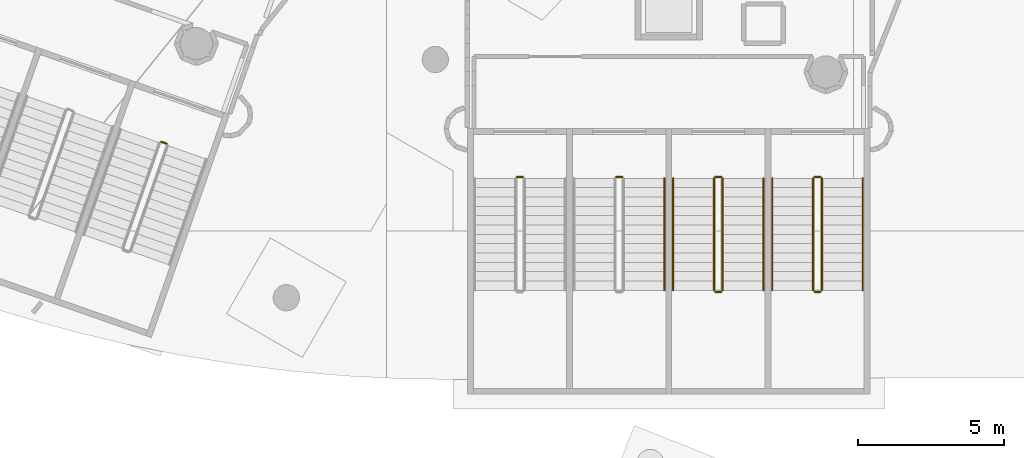
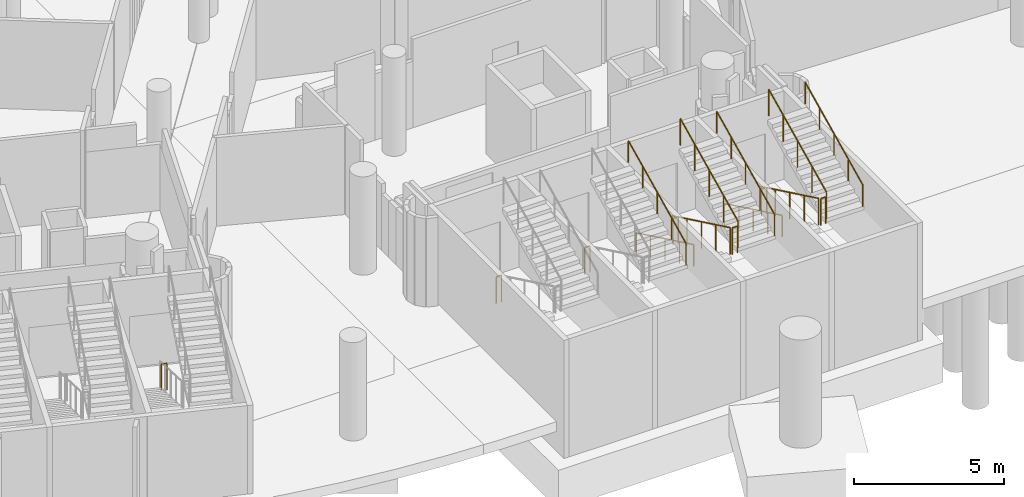
# One storey, part 112 of 142: 16 railings.
"""IFC4 building model written with IfcOpenShell, lengths in metres."""

from ifc_helpers import new_model, si_unit, direction, frame, origin, origin_2d, place, context, subcontext, project, spatial, circle, extrude, material, type_object, element, save


model = new_model("IFC4")

# Units and contexts
model_context = context("Model", 3, precision=1e-05, world=origin(), true_north=direction((0.0, 1.0)))
body_context = subcontext(model_context, "Body", "Model", "MODEL_VIEW")
ifc_project = project(units=[si_unit("LENGTHUNIT", "METRE"), si_unit("AREAUNIT", "SQUARE_METRE"), si_unit("VOLUMEUNIT", "CUBIC_METRE"), si_unit("PLANEANGLEUNIT", "RADIAN"), si_unit("MASSUNIT", "GRAM", prefix="KILO")], contexts=[model_context])

# Site, building, storey
site_placement = place(None, origin())
site = spatial("IfcSite", under=ifc_project, at=site_placement, CompositionType="ELEMENT")
building_placement = place(site_placement, origin())
building = spatial("IfcBuilding", under=site, at=building_placement, Name="Meseta Stadium", CompositionType="ELEMENT")
storey_placement = place(building_placement, frame((0.0, 0.0, -4.0)))
storey = spatial("IfcBuildingStorey", under=building, at=storey_placement, Name="B1", CompositionType="ELEMENT", Elevation=-4.0)

# Railings
ifc_material_1 = material(Name="Steel S355", Category="steel")
railing_type_1 = type_object("IfcRailingType", Name="Stair guard 1100", PredefinedType="GUARDRAIL", material=ifc_material_1)
railing_1_placement = place(storey_placement, frame((-55.730224609375, -92.9462890625, 0.0)))
element("IfcRailing", 1, at=railing_1_placement, inside=storey, type_object=railing_type_1, Name="ST88 B1 guard 4", PredefinedType="GUARDRAIL", context=body_context, shape_type="SweptSolid", body=[
    extrude(circle(Radius=0.02392578125, at=origin_2d()), frame((0.0, 0.0, 1.076171875), z_axis=(0.943686935281, -0.330839792317, 0.0), x_axis=(0.330839792317, 0.943686935281, 0.0)), (0.0, 0.0, 1.0), 0.199951171875),
    extrude(circle(Radius=0.02099609375, at=origin_2d()), origin(), (0.0, 0.0, 1.0), 1.052001953125),
    extrude(circle(Radius=0.02099609375, at=origin_2d()), frame((0.188720703125, -0.066162109375, 0.0)), (0.0, 0.0, 1.0), 1.052001953125),
])
railing_2_placement = place(storey_placement, frame((-43.533447265625, -94.14990234375, 0.0)))
element("IfcRailing", 2, at=railing_2_placement, inside=storey, type_object=railing_type_1, Name="ST89 B1 guard 4", PredefinedType="GUARDRAIL", context=body_context, shape_type="SweptSolid", body=[
    extrude(circle(Radius=0.02392578125, at=origin_2d()), frame((0.0, 0.0, 1.076171875), z_axis=(1.0, 0.0, 0.0), x_axis=(0.0, 1.0, 0.0)), (0.0, 0.0, 1.0), 0.2001953125),
    extrude(circle(Radius=0.02099609375, at=origin_2d()), origin(), (0.0, 0.0, 1.0), 1.052001953125),
    extrude(circle(Radius=0.02099609375, at=origin_2d()), frame((0.2001953125, 0.0, 0.0)), (0.0, 0.0, 1.0), 1.052001953125),
])
railing_3_placement = place(storey_placement, frame((-40.13330078125, -94.14990234375, 0.0)))
element("IfcRailing", 3, at=railing_3_placement, inside=storey, type_object=railing_type_1, Name="ST90 B1 guard 4", PredefinedType="GUARDRAIL", context=body_context, shape_type="SweptSolid", body=[
    extrude(circle(Radius=0.02392578125, at=origin_2d()), frame((0.0, 0.0, 1.076171875), z_axis=(1.0, 0.0, 0.0), x_axis=(0.0, 1.0, 0.0)), (0.0, 0.0, 1.0), 0.199951171875),
    extrude(circle(Radius=0.02099609375, at=origin_2d()), origin(), (0.0, 0.0, 1.0), 1.052001953125),
    extrude(circle(Radius=0.02099609375, at=origin_2d()), frame((0.199951171875, 0.0, 0.0)), (0.0, 0.0, 1.0), 1.052001953125),
])
railing_4_placement = place(storey_placement, frame((-36.783447265625, -94.199951171875, 0.15380859375)))
element("IfcRailing", 4, at=railing_4_placement, inside=storey, type_object=railing_type_1, Name="ST91 B1 guard 1", PredefinedType="GUARDRAIL", context=body_context, shape_type="SweptSolid", body=[
    extrude(circle(Radius=0.02392578125, at=origin_2d()), frame((0.0, 0.0, 1.076171875), z_axis=(0.0, -0.901252854825, 0.433293539843), x_axis=(1.0, 0.0, 0.0)), (0.0, 0.0, 1.0), 4.2607421875),
    extrude(circle(Radius=0.02099609375, at=origin_2d()), origin(), (0.0, 0.0, 1.0), 1.052001953125),
    extrude(circle(Radius=0.02099609375, at=origin_2d()), frame((0.0, -0.9599609375, 0.46142578125)), (0.0, 0.0, 1.0), 1.052001953125),
    extrude(circle(Radius=0.02099609375, at=origin_2d()), frame((0.0, -1.919921875, 0.923095703125)), (0.0, 0.0, 1.0), 1.052001953125),
    extrude(circle(Radius=0.02099609375, at=origin_2d()), frame((0.0, -2.880126953125, 1.384765625)), (0.0, 0.0, 1.0), 1.052001953125),
    extrude(circle(Radius=0.02099609375, at=origin_2d()), frame((0.0, -3.840087890625, 1.84619140625)), (0.0, 0.0, 1.0), 1.052001953125),
])
railing_5_placement = place(storey_placement, frame((-36.7333984375, -98.090087890625, 2.0)))
element("IfcRailing", 5, at=railing_5_placement, inside=storey, type_object=railing_type_1, Name="ST91 B1 guard 2", PredefinedType="GUARDRAIL", context=body_context, shape_type="SweptSolid", body=[
    extrude(circle(Radius=0.02392578125, at=origin_2d()), frame((0.0, 0.0, 1.076171875), z_axis=(1.0, 0.0, 0.0), x_axis=(0.0, 1.0, 0.0)), (0.0, 0.0, 1.0), 0.199951171875),
    extrude(circle(Radius=0.02099609375, at=origin_2d()), origin(), (0.0, 0.0, 1.0), 1.052001953125),
    extrude(circle(Radius=0.02099609375, at=origin_2d()), frame((0.199951171875, 0.0, 0.0)), (0.0, 0.0, 1.0), 1.052001953125),
])
railing_6_placement = place(storey_placement, frame((-36.4833984375, -98.0400390625, 2.15380859375)))
element("IfcRailing", 6, at=railing_6_placement, inside=storey, type_object=railing_type_1, Name="ST91 B1 guard 3", PredefinedType="GUARDRAIL", context=body_context, shape_type="SweptSolid", body=[
    extrude(circle(Radius=0.02392578125, at=origin_2d()), frame((0.0, 0.0, 1.076171875), z_axis=(0.0, 0.901252854825, 0.433293539843), x_axis=(-1.0, 0.0, 0.0)), (0.0, 0.0, 1.0), 4.2607421875),
    extrude(circle(Radius=0.02099609375, at=origin_2d()), origin(), (0.0, 0.0, 1.0), 1.052001953125),
    extrude(circle(Radius=0.02099609375, at=origin_2d()), frame((0.0, 0.9599609375, 0.46142578125)), (0.0, 0.0, 1.0), 1.052001953125),
    extrude(circle(Radius=0.02099609375, at=origin_2d()), frame((0.0, 1.919921875, 0.923095703125)), (0.0, 0.0, 1.0), 1.052001953125),
    extrude(circle(Radius=0.02099609375, at=origin_2d()), frame((0.0, 2.880126953125, 1.384765625)), (0.0, 0.0, 1.0), 1.052001953125),
    extrude(circle(Radius=0.02099609375, at=origin_2d()), frame((0.0, 3.840087890625, 1.84619140625)), (0.0, 0.0, 1.0), 1.052001953125),
])
railing_7_placement = place(storey_placement, frame((-36.7333984375, -94.14990234375, 0.0)))
element("IfcRailing", 7, at=railing_7_placement, inside=storey, type_object=railing_type_1, Name="ST91 B1 guard 4", PredefinedType="GUARDRAIL", context=body_context, shape_type="SweptSolid", body=[
    extrude(circle(Radius=0.02392578125, at=origin_2d()), frame((0.0, 0.0, 1.076171875), z_axis=(1.0, 0.0, 0.0), x_axis=(0.0, 1.0, 0.0)), (0.0, 0.0, 1.0), 0.199951171875),
    extrude(circle(Radius=0.02099609375, at=origin_2d()), origin(), (0.0, 0.0, 1.0), 1.052001953125),
    extrude(circle(Radius=0.02099609375, at=origin_2d()), frame((0.199951171875, 0.0, 0.0)), (0.0, 0.0, 1.0), 1.052001953125),
])
railing_8_placement = place(storey_placement, frame((-33.38330078125, -94.199951171875, 0.15380859375)))
element("IfcRailing", 8, at=railing_8_placement, inside=storey, type_object=railing_type_1, Name="ST92 B1 guard 1", PredefinedType="GUARDRAIL", context=body_context, shape_type="SweptSolid", body=[
    extrude(circle(Radius=0.02392578125, at=origin_2d()), frame((0.0, 0.0, 1.076171875), z_axis=(0.0, -0.901252854825, 0.433293539843), x_axis=(1.0, 0.0, 0.0)), (0.0, 0.0, 1.0), 4.2607421875),
    extrude(circle(Radius=0.02099609375, at=origin_2d()), origin(), (0.0, 0.0, 1.0), 1.052001953125),
    extrude(circle(Radius=0.02099609375, at=origin_2d()), frame((0.0, -0.9599609375, 0.46142578125)), (0.0, 0.0, 1.0), 1.052001953125),
    extrude(circle(Radius=0.02099609375, at=origin_2d()), frame((0.0, -1.919921875, 0.923095703125)), (0.0, 0.0, 1.0), 1.052001953125),
    extrude(circle(Radius=0.02099609375, at=origin_2d()), frame((0.0, -2.880126953125, 1.384765625)), (0.0, 0.0, 1.0), 1.052001953125),
    extrude(circle(Radius=0.02099609375, at=origin_2d()), frame((0.0, -3.840087890625, 1.84619140625)), (0.0, 0.0, 1.0), 1.052001953125),
])
railing_9_placement = place(storey_placement, frame((-33.333251953125, -98.090087890625, 2.0)))
element("IfcRailing", 9, at=railing_9_placement, inside=storey, type_object=railing_type_1, Name="ST92 B1 guard 2", PredefinedType="GUARDRAIL", context=body_context, shape_type="SweptSolid", body=[
    extrude(circle(Radius=0.02392578125, at=origin_2d()), frame((0.0, 0.0, 1.076171875), z_axis=(1.0, 0.0, 0.0), x_axis=(0.0, 1.0, 0.0)), (0.0, 0.0, 1.0), 0.199951171875),
    extrude(circle(Radius=0.02099609375, at=origin_2d()), origin(), (0.0, 0.0, 1.0), 1.052001953125),
    extrude(circle(Radius=0.02099609375, at=origin_2d()), frame((0.199951171875, 0.0, 0.0)), (0.0, 0.0, 1.0), 1.052001953125),
])
railing_10_placement = place(storey_placement, frame((-33.083251953125, -98.0400390625, 2.15380859375)))
element("IfcRailing", 10, at=railing_10_placement, inside=storey, type_object=railing_type_1, Name="ST92 B1 guard 3", PredefinedType="GUARDRAIL", context=body_context, shape_type="SweptSolid", body=[
    extrude(circle(Radius=0.02392578125, at=origin_2d()), frame((0.0, 0.0, 1.076171875), z_axis=(0.0, 0.901252854825, 0.433293539843), x_axis=(-1.0, 0.0, 0.0)), (0.0, 0.0, 1.0), 4.2607421875),
    extrude(circle(Radius=0.02099609375, at=origin_2d()), origin(), (0.0, 0.0, 1.0), 1.052001953125),
    extrude(circle(Radius=0.02099609375, at=origin_2d()), frame((0.0, 0.9599609375, 0.46142578125)), (0.0, 0.0, 1.0), 1.052001953125),
    extrude(circle(Radius=0.02099609375, at=origin_2d()), frame((0.0, 1.919921875, 0.923095703125)), (0.0, 0.0, 1.0), 1.052001953125),
    extrude(circle(Radius=0.02099609375, at=origin_2d()), frame((0.0, 2.880126953125, 1.384765625)), (0.0, 0.0, 1.0), 1.052001953125),
    extrude(circle(Radius=0.02099609375, at=origin_2d()), frame((0.0, 3.840087890625, 1.84619140625)), (0.0, 0.0, 1.0), 1.052001953125),
])
railing_11_placement = place(storey_placement, frame((-33.333251953125, -94.14990234375, 0.0)))
element("IfcRailing", 11, at=railing_11_placement, inside=storey, type_object=railing_type_1, Name="ST92 B1 guard 4", PredefinedType="GUARDRAIL", context=body_context, shape_type="SweptSolid", body=[
    extrude(circle(Radius=0.02392578125, at=origin_2d()), frame((0.0, 0.0, 1.076171875), z_axis=(1.0, 0.0, 0.0), x_axis=(0.0, 1.0, 0.0)), (0.0, 0.0, 1.0), 0.199951171875),
    extrude(circle(Radius=0.02099609375, at=origin_2d()), origin(), (0.0, 0.0, 1.0), 1.052001953125),
    extrude(circle(Radius=0.02099609375, at=origin_2d()), frame((0.199951171875, 0.0, 0.0)), (0.0, 0.0, 1.0), 1.052001953125),
])
ifc_material_2 = material(Name="Steel S355", Category="steel")
railing_type_2 = type_object("IfcRailingType", Name="Stair handrail 900", PredefinedType="HANDRAIL", material=ifc_material_2)
railing_12_placement = place(storey_placement, frame((-38.4833984375, -98.0400390625, 2.15380859375)))
element("IfcRailing", 12, at=railing_12_placement, inside=storey, type_object=railing_type_2, Name="ST90 B1 handrail 2", PredefinedType="HANDRAIL", context=body_context, shape_type="SweptSolid", body=[
    extrude(circle(Radius=0.02392578125, at=origin_2d()), frame((0.0, 0.0, 0.8759765625), z_axis=(0.0, 0.901252854825, 0.433293539843), x_axis=(-1.0, 0.0, 0.0)), (0.0, 0.0, 1.0), 4.2607421875),
    extrude(circle(Radius=0.02099609375, at=origin_2d()), origin(), (0.0, 0.0, 1.0), 0.851806640625),
    extrude(circle(Radius=0.02099609375, at=origin_2d()), frame((0.0, 0.9599609375, 0.46142578125)), (0.0, 0.0, 1.0), 0.851806640625),
    extrude(circle(Radius=0.02099609375, at=origin_2d()), frame((0.0, 1.919921875, 0.923095703125)), (0.0, 0.0, 1.0), 0.851806640625),
    extrude(circle(Radius=0.02099609375, at=origin_2d()), frame((0.0, 2.880126953125, 1.384765625)), (0.0, 0.0, 1.0), 0.851806640625),
    extrude(circle(Radius=0.02099609375, at=origin_2d()), frame((0.0, 3.840087890625, 1.84619140625)), (0.0, 0.0, 1.0), 0.851806640625),
])
railing_13_placement = place(storey_placement, frame((-38.183349609375, -94.199951171875, 0.15380859375)))
element("IfcRailing", 13, at=railing_13_placement, inside=storey, type_object=railing_type_2, Name="ST91 B1 handrail 1", PredefinedType="HANDRAIL", context=body_context, shape_type="SweptSolid", body=[
    extrude(circle(Radius=0.02392578125, at=origin_2d()), frame((0.0, 0.0, 0.8759765625), z_axis=(0.0, -0.901252854825, 0.433293539843), x_axis=(1.0, 0.0, 0.0)), (0.0, 0.0, 1.0), 4.2607421875),
    extrude(circle(Radius=0.02099609375, at=origin_2d()), origin(), (0.0, 0.0, 1.0), 0.851806640625),
    extrude(circle(Radius=0.02099609375, at=origin_2d()), frame((0.0, -0.9599609375, 0.46142578125)), (0.0, 0.0, 1.0), 0.851806640625),
    extrude(circle(Radius=0.02099609375, at=origin_2d()), frame((0.0, -1.919921875, 0.923095703125)), (0.0, 0.0, 1.0), 0.851806640625),
    extrude(circle(Radius=0.02099609375, at=origin_2d()), frame((0.0, -2.880126953125, 1.384765625)), (0.0, 0.0, 1.0), 0.851806640625),
    extrude(circle(Radius=0.02099609375, at=origin_2d()), frame((0.0, -3.840087890625, 1.84619140625)), (0.0, 0.0, 1.0), 0.851806640625),
])
railing_14_placement = place(storey_placement, frame((-35.083251953125, -98.0400390625, 2.15380859375)))
element("IfcRailing", 14, at=railing_14_placement, inside=storey, type_object=railing_type_2, Name="ST91 B1 handrail 2", PredefinedType="HANDRAIL", context=body_context, shape_type="SweptSolid", body=[
    extrude(circle(Radius=0.02392578125, at=origin_2d()), frame((0.0, 0.0, 0.8759765625), z_axis=(0.0, 0.901252854825, 0.433293539843), x_axis=(-1.0, 0.0, 0.0)), (0.0, 0.0, 1.0), 4.2607421875),
    extrude(circle(Radius=0.02099609375, at=origin_2d()), origin(), (0.0, 0.0, 1.0), 0.851806640625),
    extrude(circle(Radius=0.02099609375, at=origin_2d()), frame((0.0, 0.9599609375, 0.46142578125)), (0.0, 0.0, 1.0), 0.851806640625),
    extrude(circle(Radius=0.02099609375, at=origin_2d()), frame((0.0, 1.919921875, 0.923095703125)), (0.0, 0.0, 1.0), 0.851806640625),
    extrude(circle(Radius=0.02099609375, at=origin_2d()), frame((0.0, 2.880126953125, 1.384765625)), (0.0, 0.0, 1.0), 0.851806640625),
    extrude(circle(Radius=0.02099609375, at=origin_2d()), frame((0.0, 3.840087890625, 1.84619140625)), (0.0, 0.0, 1.0), 0.851806640625),
])
railing_15_placement = place(storey_placement, frame((-34.783447265625, -94.199951171875, 0.15380859375)))
element("IfcRailing", 15, at=railing_15_placement, inside=storey, type_object=railing_type_2, Name="ST92 B1 handrail 1", PredefinedType="HANDRAIL", context=body_context, shape_type="SweptSolid", body=[
    extrude(circle(Radius=0.02392578125, at=origin_2d()), frame((0.0, 0.0, 0.8759765625), z_axis=(0.0, -0.901252854825, 0.433293539843), x_axis=(1.0, 0.0, 0.0)), (0.0, 0.0, 1.0), 4.2607421875),
    extrude(circle(Radius=0.02099609375, at=origin_2d()), origin(), (0.0, 0.0, 1.0), 0.851806640625),
    extrude(circle(Radius=0.02099609375, at=origin_2d()), frame((0.0, -0.9599609375, 0.46142578125)), (0.0, 0.0, 1.0), 0.851806640625),
    extrude(circle(Radius=0.02099609375, at=origin_2d()), frame((0.0, -1.919921875, 0.923095703125)), (0.0, 0.0, 1.0), 0.851806640625),
    extrude(circle(Radius=0.02099609375, at=origin_2d()), frame((0.0, -2.880126953125, 1.384765625)), (0.0, 0.0, 1.0), 0.851806640625),
    extrude(circle(Radius=0.02099609375, at=origin_2d()), frame((0.0, -3.840087890625, 1.84619140625)), (0.0, 0.0, 1.0), 0.851806640625),
])
railing_16_placement = place(storey_placement, frame((-31.683349609375, -98.0400390625, 2.15380859375)))
element("IfcRailing", 16, at=railing_16_placement, inside=storey, type_object=railing_type_2, Name="ST92 B1 handrail 2", PredefinedType="HANDRAIL", context=body_context, shape_type="SweptSolid", body=[
    extrude(circle(Radius=0.02392578125, at=origin_2d()), frame((0.0, 0.0, 0.8759765625), z_axis=(0.0, 0.901252854825, 0.433293539843), x_axis=(-1.0, 0.0, 0.0)), (0.0, 0.0, 1.0), 4.2607421875),
    extrude(circle(Radius=0.02099609375, at=origin_2d()), origin(), (0.0, 0.0, 1.0), 0.851806640625),
    extrude(circle(Radius=0.02099609375, at=origin_2d()), frame((0.0, 0.9599609375, 0.46142578125)), (0.0, 0.0, 1.0), 0.851806640625),
    extrude(circle(Radius=0.02099609375, at=origin_2d()), frame((0.0, 1.919921875, 0.923095703125)), (0.0, 0.0, 1.0), 0.851806640625),
    extrude(circle(Radius=0.02099609375, at=origin_2d()), frame((0.0, 2.880126953125, 1.384765625)), (0.0, 0.0, 1.0), 0.851806640625),
    extrude(circle(Radius=0.02099609375, at=origin_2d()), frame((0.0, 3.840087890625, 1.84619140625)), (0.0, 0.0, 1.0), 0.851806640625),
])

save(model, "model.ifc")
